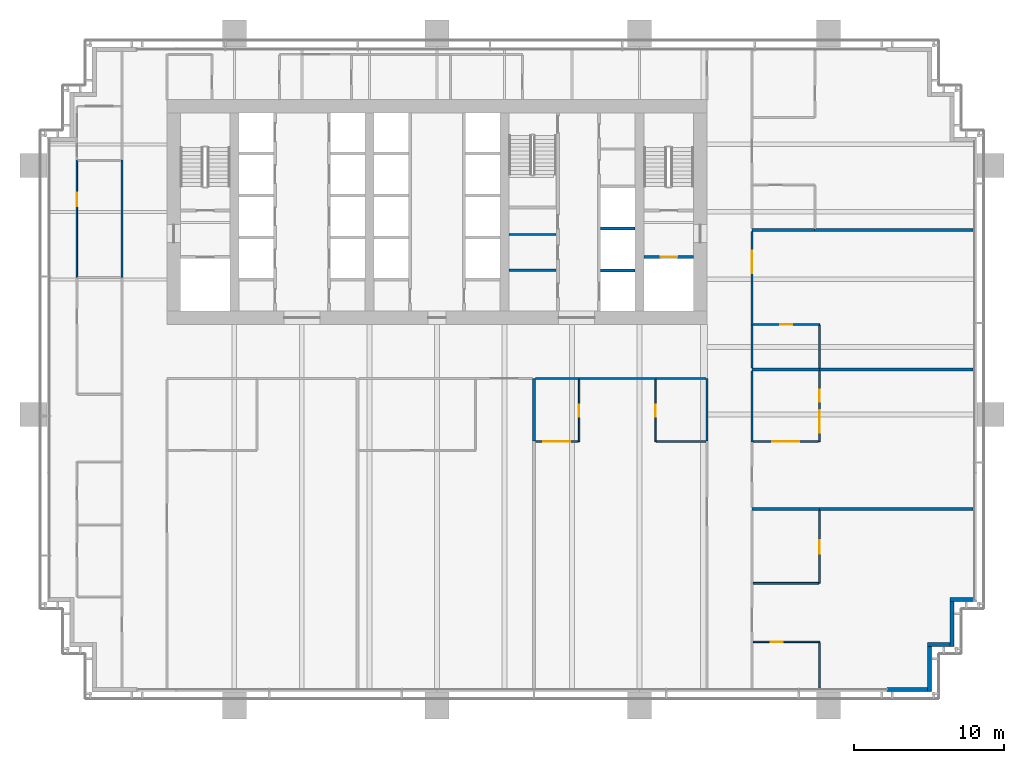
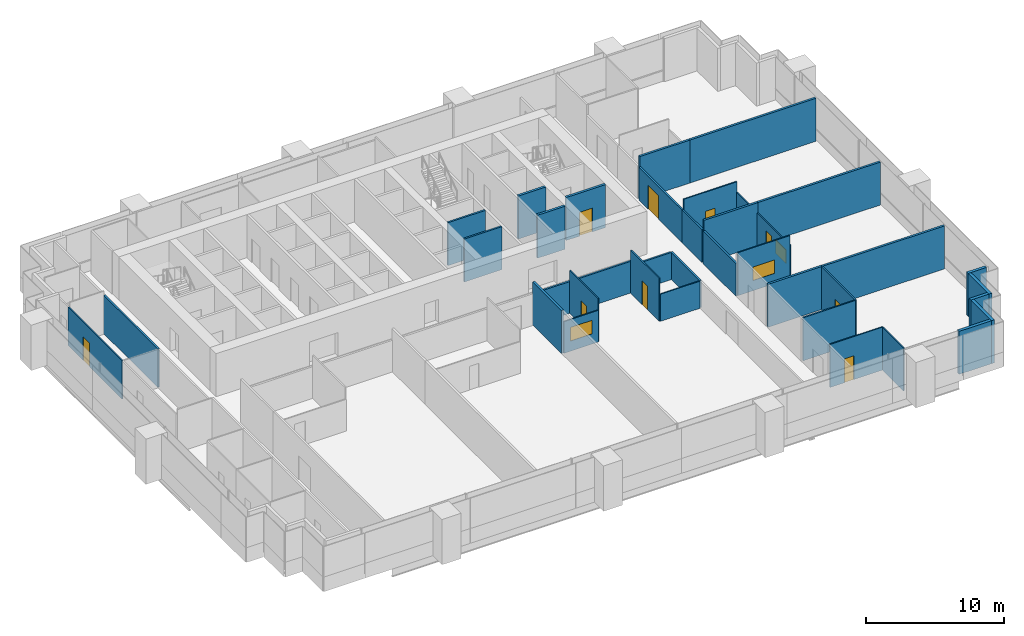
# One storey, part 13 of 19: 38 walls, 9 doors, 3 windows, 12 openings.
"""IFC4 building model written with IfcOpenShell, lengths in metres."""

from ifc_helpers import new_model, si_unit, direction, frame, frame_2d, origin, place, context, subcontext, project, spatial, rectangle, extrude, material, layer, layer_set, type_object, element, fill, save


model = new_model("IFC4")

# Units and contexts
model_context = context("Model", 3, precision=1e-05, world=origin(), true_north=direction((0.0, 1.0)))
body_context = subcontext(model_context, "Body", "Model", "MODEL_VIEW")
ifc_project = project(units=[si_unit("LENGTHUNIT", "METRE"), si_unit("AREAUNIT", "SQUARE_METRE"), si_unit("VOLUMEUNIT", "CUBIC_METRE"), si_unit("PLANEANGLEUNIT", "RADIAN"), si_unit("MASSUNIT", "GRAM", prefix="KILO")], contexts=[model_context])

# Site, building, storey
site_placement = place(None, origin())
site = spatial("IfcSite", under=ifc_project, at=site_placement, CompositionType="ELEMENT")
building_placement = place(site_placement, origin())
building = spatial("IfcBuilding", under=site, at=building_placement, Name="Rattan Terrace Tower", CompositionType="ELEMENT")
storey_placement = place(building_placement, frame((0.0, 0.0, 111.699951171875)))
storey = spatial("IfcBuildingStorey", under=building, at=storey_placement, Name="L25", CompositionType="ELEMENT", Elevation=111.699951171875)

# Walls
ifc_material_1 = material(Name="Gypsum board partition")
ifc_layer_1 = layer(ifc_material_1, 0.14990234375)
ifc_layer_set_1 = layer_set([ifc_layer_1], Name="Core partition 150")
wall_type_1 = type_object("IfcWallType", Name="Core partition 150", PredefinedType="PARTITIONING", material=ifc_layer_set_1)
for number, where, z_axis, x_axis, name in (
    (1, (4.800048828125, -3.8798828125, 0.0), (0.0, 0.0, 1.0), (1.0, 0.0, 0.0), "Toilet wall"),
    (2, (4.800048828125, -1.5, 0.0), (0.0, 0.0, 1.0), (1.0, 0.0, 0.0), "Toilet wall"),
):
    element("IfcWall", number, at=place(storey_placement, frame(where, z_axis=z_axis, x_axis=x_axis)), inside=storey, type_object=wall_type_1, Name=name, PredefinedType="PARTITIONING", context=body_context, shape_type="SweptSolid", body=[
        extrude(rectangle(XDim=3.14990234375, YDim=0.14990234375, at=frame_2d((1.574951171875, 0.0))), origin(), (0.0, 0.0, 1.0), 3.800048828125),
    ])

# Wall, opening, door
ifc_material_2 = material(Name="Gypsum board partition")
ifc_layer_2 = layer(ifc_material_2, 0.199951171875)
ifc_layer_set_2 = layer_set([ifc_layer_2], Name="Core partition 200")
wall_type_2 = type_object("IfcWallType", Name="Core partition 200", PredefinedType="PARTITIONING", material=ifc_layer_set_2)
wall_1_placement = place(storey_placement, frame((13.800048828125, -3.0, 0.0), z_axis=(0.0, 0.0, 1.0), x_axis=(1.0, 0.0, 0.0)))
wall_1 = element("IfcWall", 3, at=wall_1_placement, inside=storey, type_object=wall_type_2, Name="Fire-fighting lobby wall", PredefinedType="PARTITIONING", context=body_context, shape_type="SweptSolid", body=[
    extrude(rectangle(XDim=3.300048828125, YDim=0.199951171875, at=frame_2d((1.64990234375, 0.0))), origin(), (0.0, 0.0, 1.0), 3.800048828125),
])
opening_1_placement = place(wall_1_placement, frame((1.10009765625, 0.0, 0.0)))
opening_1 = element("IfcOpeningElement", 4, at=opening_1_placement, cuts=wall_1, Name="Opening L25-LD-FF2", PredefinedType="OPENING", context=body_context, shape_type="SweptSolid", body=[
    extrude(rectangle(XDim=1.10009765625, YDim=2.10009765625, at=frame_2d((0.550048828125, 1.050048828125))), frame((0.0, 0.110595703125, 0.0), z_axis=(0.0, -1.0, 0.0), x_axis=(1.0, 0.0, 0.0)), (0.0, 0.0, 1.0), 0.220947265625),
])
ifc_material_3 = material(Name="Brushed stainless landing door panel")
door_type_1 = type_object("IfcDoorType", Name="Core lift landing door 1100", OperationType="DOUBLE_DOOR_SLIDING", PredefinedType="DOOR", material=ifc_material_3)
door_1_placement = place(opening_1_placement, origin())
door_1 = element("IfcDoor", 5, at=door_1_placement, inside=storey, type_object=door_type_1, Name="Door L25-LD-FF2", OperationType="DOUBLE_DOOR_SLIDING", OverallHeight=2.10009765625, OverallWidth=1.10009765625, PredefinedType="DOOR", context=body_context, shape_type="SweptSolid", body=[
    extrude(rectangle(XDim=1.10009765625, YDim=2.10009765625, at=frame_2d((0.550048828125, 1.050048828125))), frame((0.0, 0.02490234375, 0.0), z_axis=(0.0, -1.0, 0.0), x_axis=(1.0, 0.0, 0.0)), (0.0, 0.0, 1.0), 0.050048828125),
])
fill(opening_1, door_1)

# Walls
ifc_material_4 = material(Name="Insulated aluminium-clad stud wall", Category="aluminium")
ifc_layer_3 = layer(ifc_material_4, 0.25)
ifc_layer_set_3 = layer_set([ifc_layer_3], Name="Facade Riser Wall 250")
wall_type_3 = type_object("IfcWallType", Name="Facade Riser Wall 250", PredefinedType="SOLIDWALL", material=ifc_layer_set_3)
wall_2_placement = place(storey_placement, frame((30.0, -31.830078125, 0.0), z_axis=(0.0, 0.0, 1.0), x_axis=(1.0, 0.0, 0.0)))
element("IfcWall", 6, at=wall_2_placement, inside=storey, type_object=wall_type_3, Name="Riser wall L25-1", PredefinedType="SOLIDWALL", context=body_context, shape_type="SweptSolid", body=[
    extrude(rectangle(XDim=2.705078125, YDim=0.25, at=frame_2d((1.3525390625, 0.0))), origin(), (0.0, 0.0, 1.0), 3.800048828125),
])
wall_3_placement = place(storey_placement, frame((32.830078125, -31.955078125, 0.0), z_axis=(0.0, 0.0, 1.0), x_axis=(0.0, 1.0, 0.0)))
element("IfcWall", 7, at=wall_3_placement, inside=storey, type_object=wall_type_3, Name="Riser wall L25-2", PredefinedType="SOLIDWALL", context=body_context, shape_type="SweptSolid", body=[
    extrude(rectangle(XDim=3.0, YDim=0.25, at=frame_2d((1.5, 0.0))), origin(), (0.0, 0.0, 1.0), 3.800048828125),
])
wall_4_placement = place(storey_placement, frame((32.705078125, -28.830078125, 0.0), z_axis=(0.0, 0.0, 1.0), x_axis=(1.0, 0.0, 0.0)))
element("IfcWall", 8, at=wall_4_placement, inside=storey, type_object=wall_type_3, Name="Riser wall L25-3", PredefinedType="SOLIDWALL", context=body_context, shape_type="SweptSolid", body=[
    extrude(rectangle(XDim=1.5, YDim=0.25, at=frame_2d((0.75, 0.0))), origin(), (0.0, 0.0, 1.0), 3.800048828125),
])
wall_5_placement = place(storey_placement, frame((34.330078125, -28.955078125, 0.0), z_axis=(0.0, 0.0, 1.0), x_axis=(0.0, 1.0, 0.0)))
element("IfcWall", 9, at=wall_5_placement, inside=storey, type_object=wall_type_3, Name="Riser wall L25-4", PredefinedType="SOLIDWALL", context=body_context, shape_type="SweptSolid", body=[
    extrude(rectangle(XDim=3.0, YDim=0.25, at=frame_2d((1.5, 0.0))), origin(), (0.0, 0.0, 1.0), 3.800048828125),
])
wall_6_placement = place(storey_placement, frame((34.205078125, -25.830078125, 0.0), z_axis=(0.0, 0.0, 1.0), x_axis=(1.0, 0.0, 0.0)))
element("IfcWall", 10, at=wall_6_placement, inside=storey, type_object=wall_type_3, Name="Riser wall L25-5", PredefinedType="SOLIDWALL", context=body_context, shape_type="SweptSolid", body=[
    extrude(rectangle(XDim=1.544921875, YDim=0.25, at=frame_2d((0.7724609375, 0.0))), origin(), (0.0, 0.0, 1.0), 3.800048828125),
])
ifc_material_5 = material(Name="Double steel stud acoustic partition, gypsum board, mineral wool, fire rated", Category="steel")
ifc_layer_4 = layer(ifc_material_5, 0.179931640625)
ifc_layer_set_4 = layer_set([ifc_layer_4], Name="Floors Acoustic Party Wall 180")
wall_type_4 = type_object("IfcWallType", Name="Floors Acoustic Party Wall 180", PredefinedType="PARTITIONING", material=ifc_layer_set_4)
wall_7_placement = place(storey_placement, frame((25.5, -19.800048828125, 0.0), z_axis=(0.0, 0.0, 1.0), x_axis=(1.0, 0.0, 0.0)))
element("IfcWall", 11, at=wall_7_placement, inside=storey, type_object=wall_type_4, Name="pt-L25-048", PredefinedType="PARTITIONING", context=body_context, shape_type="SweptSolid", body=[
    extrude(rectangle(XDim=10.239990234375, YDim=0.179931640625, at=frame_2d((5.1201171875, 0.0))), origin(), (0.0, 0.0, 1.0), 3.800048828125),
])
wall_8_placement = place(storey_placement, frame((21.0, -19.800048828125, 0.0), z_axis=(0.0, 0.0, 1.0), x_axis=(1.0, 0.0, 0.0)))
element("IfcWall", 12, at=wall_8_placement, inside=storey, type_object=wall_type_4, Name="pt-L25-049", PredefinedType="PARTITIONING", context=body_context, shape_type="SweptSolid", body=[
    extrude(rectangle(XDim=4.5, YDim=0.179931640625, at=frame_2d((2.25, 0.0))), origin(), (0.0, 0.0, 1.0), 3.800048828125),
])
wall_9_placement = place(storey_placement, frame((25.5, -10.5, 0.0), z_axis=(0.0, 0.0, 1.0), x_axis=(1.0, 0.0, 0.0)))
element("IfcWall", 13, at=wall_9_placement, inside=storey, type_object=wall_type_4, Name="pt-L25-052", PredefinedType="PARTITIONING", context=body_context, shape_type="SweptSolid", body=[
    extrude(rectangle(XDim=10.239990234375, YDim=0.179931640625, at=frame_2d((5.1201171875, 0.0))), origin(), (0.0, 0.0, 1.0), 3.800048828125),
])
wall_10_placement = place(storey_placement, frame((21.0, -10.5, 0.0), z_axis=(0.0, 0.0, 1.0), x_axis=(1.0, 0.0, 0.0)))
element("IfcWall", 14, at=wall_10_placement, inside=storey, type_object=wall_type_4, Name="pt-L25-053", PredefinedType="PARTITIONING", context=body_context, shape_type="SweptSolid", body=[
    extrude(rectangle(XDim=4.5, YDim=0.179931640625, at=frame_2d((2.25, 0.0))), origin(), (0.0, 0.0, 1.0), 3.800048828125),
])
wall_11_placement = place(storey_placement, frame((25.179931640625, -1.199951171875, 0.0), z_axis=(0.0, 0.0, 1.0), x_axis=(1.0, 0.0, 0.0)))
element("IfcWall", 15, at=wall_11_placement, inside=storey, type_object=wall_type_4, Name="pt-L25-056", PredefinedType="PARTITIONING", context=body_context, shape_type="SweptSolid", body=[
    extrude(rectangle(XDim=10.56005859375, YDim=0.179931640625, at=frame_2d((5.280029296875, 0.0))), origin(), (0.0, 0.0, 1.0), 3.800048828125),
])
for number, where, z_axis, x_axis, name in (
    (16, (21.0, -1.199951171875, 0.0), (0.0, 0.0, 1.0), (1.0, 0.0, 0.0), "pt-L25-057"),
    (17, (6.470947265625, -11.10009765625, 0.0), (0.0, 0.0, 1.0), (0.0, -1.0, 0.0), "pt-L25-078"),
):
    element("IfcWall", number, at=place(storey_placement, frame(where, z_axis=z_axis, x_axis=x_axis)), inside=storey, type_object=wall_type_4, Name=name, PredefinedType="PARTITIONING", context=body_context, shape_type="SweptSolid", body=[
        extrude(rectangle(XDim=4.179931640625, YDim=0.179931640625, at=frame_2d((2.08984375, 0.0))), origin(), (0.0, 0.0, 1.0), 3.800048828125),
    ])

# Wall, opening, door
ifc_material_6 = material(Name="Gypsum board partition on steel studs", Category="steel")
ifc_layer_5 = layer(ifc_material_6, 0.10009765625)
ifc_layer_set_5 = layer_set([ifc_layer_5], Name="Floors Partition 100")
wall_type_5 = type_object("IfcWallType", Name="Floors Partition 100", PredefinedType="PARTITIONING", material=ifc_layer_set_5)
wall_12_placement = place(storey_placement, frame((-24.0, 3.4599609375, 0.0), z_axis=(0.0, 0.0, 1.0), x_axis=(0.0, -1.0, 0.0)))
wall_12 = element("IfcWall", 18, at=wall_12_placement, inside=storey, type_object=wall_type_5, Name="pt-L25-038", PredefinedType="PARTITIONING", context=body_context, shape_type="SweptSolid", body=[
    extrude(rectangle(XDim=7.800048828125, YDim=0.10009765625, at=frame_2d((3.89990234375, 0.0))), origin(), (0.0, 0.0, 1.0), 3.400146484375),
])
opening_2_placement = place(wall_12_placement, frame((2.169921875, 0.0, 0.0)))
opening_2 = element("IfcOpeningElement", 19, at=opening_2_placement, cuts=wall_12, Name="Opening L25-D104", PredefinedType="OPENING", context=body_context, shape_type="SweptSolid", body=[
    extrude(rectangle(XDim=0.89990234375, YDim=2.10009765625, at=frame_2d((0.449951171875, 1.050048828125))), frame((0.0, 0.060546875, 0.0), z_axis=(0.0, -1.0, 0.0), x_axis=(1.0, 0.0, 0.0)), (0.0, 0.0, 1.0), 0.12109375),
])
ifc_material_7 = material(Name="Solid core timber door, painted", Category="wood")
door_type_2 = type_object("IfcDoorType", Name="Floors Door 900x2100", OperationType="NOTDEFINED", PredefinedType="DOOR", material=ifc_material_7)
door_2_placement = place(opening_2_placement, origin())
door_2 = element("IfcDoor", 20, at=door_2_placement, inside=storey, type_object=door_type_2, Name="d-L25-104", OperationType="SINGLE_SWING_LEFT", OverallHeight=2.10009765625, OverallWidth=0.89990234375, PredefinedType="DOOR", context=body_context, shape_type="SweptSolid", body=[
    extrude(rectangle(XDim=0.89990234375, YDim=2.10009765625, at=frame_2d((0.449951171875, 1.050048828125))), frame((0.0, 0.02490234375, 0.0), z_axis=(0.0, -1.0, 0.0), x_axis=(1.0, 0.0, 0.0)), (0.0, 0.0, 1.0), 0.050048828125),
])
fill(opening_2, door_2)

wall_13_placement = place(storey_placement, frame((25.5, -28.659912109375, 0.0), z_axis=(0.0, 0.0, 1.0), x_axis=(-1.0, 0.0, 0.0)))
wall_13 = element("IfcWall", 21, at=wall_13_placement, inside=storey, type_object=wall_type_5, Name="pt-L25-044", PredefinedType="PARTITIONING", context=body_context, shape_type="SweptSolid", body=[
    extrude(rectangle(XDim=4.425048828125, YDim=0.10009765625, at=frame_2d((2.21240234375, 0.0))), origin(), (0.0, 0.0, 1.0), 3.800048828125),
])
opening_3_placement = place(wall_13_placement, frame((2.43798828125, 0.0, 0.0)))
opening_3 = element("IfcOpeningElement", 22, at=opening_3_placement, cuts=wall_13, Name="Opening L25-D107", PredefinedType="OPENING", context=body_context, shape_type="SweptSolid", body=[
    extrude(rectangle(XDim=0.800048828125, YDim=2.10009765625, at=frame_2d((0.39990234375, 1.050048828125))), frame((0.0, 0.060546875, 0.0), z_axis=(0.0, -1.0, 0.0), x_axis=(1.0, 0.0, 0.0)), (0.0, 0.0, 1.0), 0.12109375),
])
ifc_material_8 = material(Name="Solid core timber door, painted", Category="wood")
door_type_3 = type_object("IfcDoorType", Name="Floors Store Door 800x2100", OperationType="NOTDEFINED", PredefinedType="DOOR", material=ifc_material_8)
door_3_placement = place(opening_3_placement, origin())
door_3 = element("IfcDoor", 23, at=door_3_placement, inside=storey, type_object=door_type_3, Name="d-L25-107", OperationType="SINGLE_SWING_RIGHT", OverallHeight=2.10009765625, OverallWidth=0.800048828125, PredefinedType="DOOR", context=body_context, shape_type="SweptSolid", body=[
    extrude(rectangle(XDim=0.800048828125, YDim=2.10009765625, at=frame_2d((0.39990234375, 1.050048828125))), frame((0.0, 0.02490234375, 0.0), z_axis=(0.0, -1.0, 0.0), x_axis=(1.0, 0.0, 0.0)), (0.0, 0.0, 1.0), 0.050048828125),
])
fill(opening_3, door_3)

# Wall
wall_14_placement = place(storey_placement, frame((25.5, -31.739990234375, 0.0), z_axis=(0.0, 0.0, 1.0), x_axis=(0.0, 1.0, 0.0)))
element("IfcWall", 24, at=wall_14_placement, inside=storey, type_object=wall_type_5, Name="pt-L25-045", PredefinedType="PARTITIONING", context=body_context, shape_type="SweptSolid", body=[
    extrude(rectangle(XDim=3.030029296875, YDim=0.10009765625, at=frame_2d((1.51513671875, 0.0))), origin(), (0.0, 0.0, 1.0), 3.800048828125),
])

# Wall, opening, window
wall_15_placement = place(storey_placement, frame((21.074951171875, -15.300048828125, 0.0), z_axis=(0.0, 0.0, 1.0), x_axis=(1.0, 0.0, 0.0)))
wall_15 = element("IfcWall", 25, at=wall_15_placement, inside=storey, type_object=wall_type_5, Name="pt-L25-050", PredefinedType="PARTITIONING", context=body_context, shape_type="SweptSolid", body=[
    extrude(rectangle(XDim=4.375, YDim=0.10009765625, at=frame_2d((2.1875, 0.0))), origin(), (0.0, 0.0, 1.0), 3.800048828125),
])
opening_4_placement = place(wall_15_placement, frame((1.2880859375, 0.0, 0.89990234375)))
opening_4 = element("IfcOpeningElement", 26, at=opening_4_placement, cuts=wall_15, Name="Opening L25-W102", PredefinedType="OPENING", context=body_context, shape_type="SweptSolid", body=[
    extrude(rectangle(XDim=1.800048828125, YDim=1.199951171875, at=frame_2d((0.89990234375, 0.60009765625))), frame((0.0, 0.060546875, 0.0), z_axis=(0.0, -1.0, 0.0), x_axis=(1.0, 0.0, 0.0)), (0.0, 0.0, 1.0), 0.12109375),
])
ifc_material_9 = material(Name="Glass, clear, fixed in aluminium frame", Category="aluminium")
window_type_1 = type_object("IfcWindowType", Name="Interior Vision Window 1800x1200", PartitioningType="SINGLE_PANEL", PredefinedType="WINDOW", material=ifc_material_9)
window_1_placement = place(opening_4_placement, origin())
window_1 = element("IfcWindow", 27, at=window_1_placement, inside=storey, type_object=window_type_1, Name="w-L25-102", OverallHeight=1.199951171875, OverallWidth=1.800048828125, PartitioningType="SINGLE_PANEL", PredefinedType="WINDOW", context=body_context, shape_type="SweptSolid", body=[
    extrude(rectangle(XDim=1.800048828125, YDim=1.199951171875, at=frame_2d((0.89990234375, 0.60009765625))), frame((0.0, 0.030029296875, 0.0), z_axis=(0.0, -1.0, 0.0), x_axis=(1.0, 0.0, 0.0)), (0.0, 0.0, 1.0), 0.06005859375),
])
fill(opening_4, window_1)

# Wall, openings, door, window
wall_16_placement = place(storey_placement, frame((25.5, -15.300048828125, 0.0), z_axis=(0.0, 0.0, 1.0), x_axis=(0.0, 1.0, 0.0)))
wall_16 = element("IfcWall", 28, at=wall_16_placement, inside=storey, type_object=wall_type_5, Name="pt-L25-051", PredefinedType="PARTITIONING", context=body_context, shape_type="SweptSolid", body=[
    extrude(rectangle(XDim=4.7099609375, YDim=0.10009765625, at=frame_2d((2.35498046875, 0.0))), origin(), (0.0, 0.0, 1.0), 2.900146484375),
])
opening_5_placement = place(wall_16_placement, frame((2.636962890625, 0.0, 0.0)))
opening_5 = element("IfcOpeningElement", 29, at=opening_5_placement, cuts=wall_16, Name="Opening L25-D110", PredefinedType="OPENING", context=body_context, shape_type="SweptSolid", body=[
    extrude(rectangle(XDim=0.800048828125, YDim=2.10009765625, at=frame_2d((0.39990234375, 1.050048828125))), frame((0.0, 0.060546875, 0.0), z_axis=(0.0, -1.0, 0.0), x_axis=(1.0, 0.0, 0.0)), (0.0, 0.0, 1.0), 0.12109375),
])
opening_6_placement = place(wall_16_placement, frame((0.593017578125, 0.0, 0.89990234375)))
opening_6 = element("IfcOpeningElement", 30, at=opening_6_placement, cuts=wall_16, Name="Opening L25-W103", PredefinedType="OPENING", context=body_context, shape_type="SweptSolid", body=[
    extrude(rectangle(XDim=1.5, YDim=1.199951171875, at=frame_2d((0.75, 0.60009765625))), frame((0.0, 0.060546875, 0.0), z_axis=(0.0, -1.0, 0.0), x_axis=(1.0, 0.0, 0.0)), (0.0, 0.0, 1.0), 0.12109375),
])
door_4_placement = place(opening_5_placement, origin())
door_4 = element("IfcDoor", 31, at=door_4_placement, inside=storey, type_object=door_type_3, Name="d-L25-110", OperationType="SINGLE_SWING_RIGHT", OverallHeight=2.10009765625, OverallWidth=0.800048828125, PredefinedType="DOOR", context=body_context, shape_type="SweptSolid", body=[
    extrude(rectangle(XDim=0.800048828125, YDim=2.10009765625, at=frame_2d((0.39990234375, 1.050048828125))), frame((0.0, 0.02490234375, 0.0), z_axis=(0.0, -1.0, 0.0), x_axis=(1.0, 0.0, 0.0)), (0.0, 0.0, 1.0), 0.050048828125),
])
fill(opening_5, door_4)
ifc_material_10 = material(Name="Glass, clear, fixed in aluminium frame", Category="aluminium")
window_type_2 = type_object("IfcWindowType", Name="Interior Vision Window 1500x1200", PartitioningType="SINGLE_PANEL", PredefinedType="WINDOW", material=ifc_material_10)
window_2_placement = place(opening_6_placement, origin())
window_2 = element("IfcWindow", 32, at=window_2_placement, inside=storey, type_object=window_type_2, Name="w-L25-103", OverallHeight=1.199951171875, OverallWidth=1.5, PartitioningType="SINGLE_PANEL", PredefinedType="WINDOW", context=body_context, shape_type="SweptSolid", body=[
    extrude(rectangle(XDim=1.5, YDim=1.199951171875, at=frame_2d((0.75, 0.60009765625))), frame((0.0, 0.030029296875, 0.0), z_axis=(0.0, -1.0, 0.0), x_axis=(1.0, 0.0, 0.0)), (0.0, 0.0, 1.0), 0.06005859375),
])
fill(opening_6, window_2)

# Wall, opening, door
wall_17_placement = place(storey_placement, frame((25.5, -7.5, 0.0), z_axis=(0.0, 0.0, 1.0), x_axis=(-1.0, 0.0, 0.0)))
wall_17 = element("IfcWall", 33, at=wall_17_placement, inside=storey, type_object=wall_type_5, Name="pt-L25-054", PredefinedType="PARTITIONING", context=body_context, shape_type="SweptSolid", body=[
    extrude(rectangle(XDim=4.425048828125, YDim=0.10009765625, at=frame_2d((2.21240234375, 0.0))), origin(), (0.0, 0.0, 1.0), 3.800048828125),
])
opening_7_placement = place(wall_17_placement, frame((1.81298828125, 0.0, 0.0)))
opening_7 = element("IfcOpeningElement", 34, at=opening_7_placement, cuts=wall_17, Name="Opening L25-D112", PredefinedType="OPENING", context=body_context, shape_type="SweptSolid", body=[
    extrude(rectangle(XDim=0.800048828125, YDim=2.10009765625, at=frame_2d((0.39990234375, 1.050048828125))), frame((0.0, 0.060546875, 0.0), z_axis=(0.0, -1.0, 0.0), x_axis=(1.0, 0.0, 0.0)), (0.0, 0.0, 1.0), 0.12109375),
])
door_5_placement = place(opening_7_placement, origin())
door_5 = element("IfcDoor", 35, at=door_5_placement, inside=storey, type_object=door_type_3, Name="d-L25-112", OperationType="SINGLE_SWING_LEFT", OverallHeight=2.10009765625, OverallWidth=0.800048828125, PredefinedType="DOOR", context=body_context, shape_type="SweptSolid", body=[
    extrude(rectangle(XDim=0.800048828125, YDim=2.10009765625, at=frame_2d((0.39990234375, 1.050048828125))), frame((0.0, 0.02490234375, 0.0), z_axis=(0.0, -1.0, 0.0), x_axis=(1.0, 0.0, 0.0)), (0.0, 0.0, 1.0), 0.050048828125),
])
fill(opening_7, door_5)

# Wall
wall_18_placement = place(storey_placement, frame((25.5, -10.409912109375, 0.0), z_axis=(0.0, 0.0, 1.0), x_axis=(0.0, 1.0, 0.0)))
element("IfcWall", 36, at=wall_18_placement, inside=storey, type_object=wall_type_5, Name="pt-L25-055", PredefinedType="PARTITIONING", context=body_context, shape_type="SweptSolid", body=[
    extrude(rectangle(XDim=2.85986328125, YDim=0.10009765625, at=frame_2d((1.429931640625, 0.0))), origin(), (0.0, 0.0, 1.0), 2.900146484375),
])

# Wall, opening, window
wall_19_placement = place(storey_placement, frame((6.56103515625, -15.300048828125, 0.0), z_axis=(0.0, 0.0, 1.0), x_axis=(1.0, 0.0, 0.0)))
wall_19 = element("IfcWall", 37, at=wall_19_placement, inside=storey, type_object=wall_type_5, Name="pt-L25-079", PredefinedType="PARTITIONING", context=body_context, shape_type="SweptSolid", body=[
    extrude(rectangle(XDim=2.85986328125, YDim=0.10009765625, at=frame_2d((1.429931640625, 0.0))), origin(), (0.0, 0.0, 1.0), 2.800048828125),
])
opening_8_placement = place(wall_19_placement, frame((0.530029296875, 0.0, 0.89990234375)))
opening_8 = element("IfcOpeningElement", 38, at=opening_8_placement, cuts=wall_19, Name="Opening L25-W105", PredefinedType="OPENING", context=body_context, shape_type="SweptSolid", body=[
    extrude(rectangle(XDim=1.800048828125, YDim=1.199951171875, at=frame_2d((0.89990234375, 0.60009765625))), frame((0.0, 0.060546875, 0.0), z_axis=(0.0, -1.0, 0.0), x_axis=(1.0, 0.0, 0.0)), (0.0, 0.0, 1.0), 0.12109375),
])
window_3_placement = place(opening_8_placement, origin())
window_3 = element("IfcWindow", 39, at=window_3_placement, inside=storey, type_object=window_type_1, Name="w-L25-105", OverallHeight=1.199951171875, OverallWidth=1.800048828125, PartitioningType="SINGLE_PANEL", PredefinedType="WINDOW", context=body_context, shape_type="SweptSolid", body=[
    extrude(rectangle(XDim=1.800048828125, YDim=1.199951171875, at=frame_2d((0.89990234375, 0.60009765625))), frame((0.0, 0.030029296875, 0.0), z_axis=(0.0, -1.0, 0.0), x_axis=(1.0, 0.0, 0.0)), (0.0, 0.0, 1.0), 0.06005859375),
])
fill(opening_8, window_3)

# Wall, opening, door
wall_20_placement = place(storey_placement, frame((9.470947265625, -15.300048828125, 0.0), z_axis=(0.0, 0.0, 1.0), x_axis=(0.0, 1.0, 0.0)))
wall_20 = element("IfcWall", 40, at=wall_20_placement, inside=storey, type_object=wall_type_5, Name="pt-L25-080", PredefinedType="PARTITIONING", context=body_context, shape_type="SweptSolid", body=[
    extrude(rectangle(XDim=4.125, YDim=0.10009765625, at=frame_2d((2.0625, 0.0))), origin(), (0.0, 0.0, 1.0), 3.800048828125),
])
opening_9_placement = place(wall_20_placement, frame((1.6630859375, 0.0, 0.0)))
opening_9 = element("IfcOpeningElement", 41, at=opening_9_placement, cuts=wall_20, Name="Opening L25-D126", PredefinedType="OPENING", context=body_context, shape_type="SweptSolid", body=[
    extrude(rectangle(XDim=0.800048828125, YDim=2.10009765625, at=frame_2d((0.39990234375, 1.050048828125))), frame((0.0, 0.060546875, 0.0), z_axis=(0.0, -1.0, 0.0), x_axis=(1.0, 0.0, 0.0)), (0.0, 0.0, 1.0), 0.12109375),
])
door_6_placement = place(opening_9_placement, origin())
door_6 = element("IfcDoor", 42, at=door_6_placement, inside=storey, type_object=door_type_3, Name="d-L25-126", OperationType="SINGLE_SWING_LEFT", OverallHeight=2.10009765625, OverallWidth=0.800048828125, PredefinedType="DOOR", context=body_context, shape_type="SweptSolid", body=[
    extrude(rectangle(XDim=0.800048828125, YDim=2.10009765625, at=frame_2d((0.39990234375, 1.050048828125))), frame((0.0, 0.02490234375, 0.0), z_axis=(0.0, -1.0, 0.0), x_axis=(1.0, 0.0, 0.0)), (0.0, 0.0, 1.0), 0.050048828125),
])
fill(opening_9, door_6)

wall_21_placement = place(storey_placement, frame((14.571044921875, -11.175048828125, 0.0), z_axis=(0.0, 0.0, 1.0), x_axis=(0.0, -1.0, 0.0)))
wall_21 = element("IfcWall", 43, at=wall_21_placement, inside=storey, type_object=wall_type_5, Name="pt-L25-081", PredefinedType="PARTITIONING", context=body_context, shape_type="SweptSolid", body=[
    extrude(rectangle(XDim=4.125, YDim=0.10009765625, at=frame_2d((2.0625, 0.0))), origin(), (0.0, 0.0, 1.0), 3.800048828125),
])
opening_10_placement = place(wall_21_placement, frame((1.6630859375, 0.0, 0.0)))
opening_10 = element("IfcOpeningElement", 44, at=opening_10_placement, cuts=wall_21, Name="Opening L25-D127", PredefinedType="OPENING", context=body_context, shape_type="SweptSolid", body=[
    extrude(rectangle(XDim=0.800048828125, YDim=2.10009765625, at=frame_2d((0.39990234375, 1.050048828125))), frame((0.0, 0.060546875, 0.0), z_axis=(0.0, -1.0, 0.0), x_axis=(1.0, 0.0, 0.0)), (0.0, 0.0, 1.0), 0.12109375),
])
door_7_placement = place(opening_10_placement, origin())
door_7 = element("IfcDoor", 45, at=door_7_placement, inside=storey, type_object=door_type_3, Name="d-L25-127", OperationType="SINGLE_SWING_RIGHT", OverallHeight=2.10009765625, OverallWidth=0.800048828125, PredefinedType="DOOR", context=body_context, shape_type="SweptSolid", body=[
    extrude(rectangle(XDim=0.800048828125, YDim=2.10009765625, at=frame_2d((0.39990234375, 1.050048828125))), frame((0.0, 0.02490234375, 0.0), z_axis=(0.0, -1.0, 0.0), x_axis=(1.0, 0.0, 0.0)), (0.0, 0.0, 1.0), 0.050048828125),
])
fill(opening_10, door_7)

# Walls
wall_22_placement = place(storey_placement, frame((14.62109375, -15.300048828125, 0.0), z_axis=(0.0, 0.0, 1.0), x_axis=(1.0, 0.0, 0.0)))
element("IfcWall", 46, at=wall_22_placement, inside=storey, type_object=wall_type_5, Name="pt-L25-082", PredefinedType="PARTITIONING", context=body_context, shape_type="SweptSolid", body=[
    extrude(rectangle(XDim=3.303955078125, YDim=0.10009765625, at=frame_2d((1.65185546875, 0.0))), origin(), (0.0, 0.0, 1.0), 2.400146484375),
])
ifc_material_11 = material(Name="Gypsum board partition on steel studs, fire rated", Category="steel")
ifc_layer_6 = layer(ifc_material_11, 0.14990234375)
ifc_layer_set_6 = layer_set([ifc_layer_6], Name="Floors Tenancy Wall 150")
wall_type_6 = type_object("IfcWallType", Name="Floors Tenancy Wall 150", PredefinedType="PARTITIONING", material=ifc_layer_set_6)
wall_23_placement = place(storey_placement, frame((-21.0, -4.3798828125, 0.0), z_axis=(0.0, 0.0, 1.0), x_axis=(0.0, 1.0, 0.0)))
element("IfcWall", 47, at=wall_23_placement, inside=storey, type_object=wall_type_6, Name="pt-L25-007", PredefinedType="PARTITIONING", context=body_context, shape_type="SweptSolid", body=[
    extrude(rectangle(XDim=7.83984375, YDim=0.14990234375, at=frame_2d((3.919921875, 0.0))), origin(), (0.0, 0.0, 1.0), 3.400146484375),
])
wall_24_placement = place(storey_placement, frame((21.0, -10.590087890625, 0.0), z_axis=(0.0, 0.0, 1.0), x_axis=(0.0, -1.0, 0.0)))
element("IfcWall", 48, at=wall_24_placement, inside=storey, type_object=wall_type_6, Name="pt-L25-013", PredefinedType="PARTITIONING", context=body_context, shape_type="SweptSolid", body=[
    extrude(rectangle(XDim=4.72998046875, YDim=0.14990234375, at=frame_2d((2.364990234375, 0.0))), origin(), (0.0, 0.0, 1.0), 2.900146484375),
])

# Wall, opening, door
wall_25_placement = place(storey_placement, frame((21.0, -1.2900390625, 0.0), z_axis=(0.0, 0.0, 1.0), x_axis=(0.0, -1.0, 0.0)))
wall_25 = element("IfcWall", 49, at=wall_25_placement, inside=storey, type_object=wall_type_6, Name="pt-L25-014", PredefinedType="PARTITIONING", context=body_context, shape_type="SweptSolid", body=[
    extrude(rectangle(XDim=6.22998046875, YDim=0.14990234375, at=frame_2d((3.114990234375, 0.0))), origin(), (0.0, 0.0, 1.0), 2.900146484375),
])
opening_11_placement = place(wall_25_placement, frame((1.306884765625, 0.0, 0.0)))
opening_11 = element("IfcOpeningElement", 50, at=opening_11_placement, cuts=wall_25, Name="Opening L25-D111", PredefinedType="OPENING", context=body_context, shape_type="SweptSolid", body=[
    extrude(rectangle(XDim=1.5, YDim=2.10009765625, at=frame_2d((0.75, 1.050048828125))), frame((0.0, 0.08544921875, 0.0), z_axis=(0.0, -1.0, 0.0), x_axis=(1.0, 0.0, 0.0)), (0.0, 0.0, 1.0), 0.1708984375),
])
ifc_material_12 = material(Name="Steel fire door set", Category="steel")
door_type_4 = type_object("IfcDoorType", Name="Floors Unit Door Pair FD30S 1500x2100", OperationType="NOTDEFINED", PredefinedType="DOOR", material=ifc_material_12)
door_8_placement = place(opening_11_placement, origin())
door_8 = element("IfcDoor", 51, at=door_8_placement, inside=storey, type_object=door_type_4, Name="d-L25-111", OperationType="DOUBLE_DOOR_SINGLE_SWING", OverallHeight=2.10009765625, OverallWidth=1.5, PredefinedType="DOOR", context=body_context, shape_type="SweptSolid", body=[
    extrude(rectangle(XDim=1.5, YDim=2.10009765625, at=frame_2d((0.75, 1.050048828125))), frame((0.0, 0.02490234375, 0.0), z_axis=(0.0, -1.0, 0.0), x_axis=(1.0, 0.0, 0.0)), (0.0, 0.0, 1.0), 0.050048828125),
])
fill(opening_11, door_8)

# Walls
wall_26_placement = place(storey_placement, frame((21.0, -7.52001953125, 0.0), z_axis=(0.0, 0.0, 1.0), x_axis=(0.0, -1.0, 0.0)))
element("IfcWall", 52, at=wall_26_placement, inside=storey, type_object=wall_type_6, Name="pt-L25-015", PredefinedType="PARTITIONING", context=body_context, shape_type="SweptSolid", body=[
    extrude(rectangle(XDim=2.889892578125, YDim=0.14990234375, at=frame_2d((1.44482421875, 0.0))), origin(), (0.0, 0.0, 1.0), 2.900146484375),
])
wall_27_placement = place(storey_placement, frame((14.591064453125, -11.10009765625, 0.0), z_axis=(0.0, 0.0, 1.0), x_axis=(-1.0, 0.0, 0.0)))
element("IfcWall", 53, at=wall_27_placement, inside=storey, type_object=wall_type_6, Name="pt-L25-027", PredefinedType="PARTITIONING", context=body_context, shape_type="SweptSolid", body=[
    extrude(rectangle(XDim=5.14013671875, YDim=0.14990234375, at=frame_2d((2.570068359375, 0.0))), origin(), (0.0, 0.0, 1.0), 2.800048828125),
])
wall_28_placement = place(storey_placement, frame((9.450927734375, -11.10009765625, 0.0), z_axis=(0.0, 0.0, 1.0), x_axis=(-1.0, 0.0, 0.0)))
element("IfcWall", 54, at=wall_28_placement, inside=storey, type_object=wall_type_6, Name="pt-L25-029", PredefinedType="PARTITIONING", context=body_context, shape_type="SweptSolid", body=[
    extrude(rectangle(XDim=2.889892578125, YDim=0.14990234375, at=frame_2d((1.44482421875, 0.0))), origin(), (0.0, 0.0, 1.0), 2.800048828125),
])
wall_29_placement = place(storey_placement, frame((17.925048828125, -11.10009765625, 0.0), z_axis=(0.0, 0.0, 1.0), x_axis=(-1.0, 0.0, 0.0)))
element("IfcWall", 55, at=wall_29_placement, inside=storey, type_object=wall_type_6, Name="pt-L25-030", PredefinedType="PARTITIONING", context=body_context, shape_type="SweptSolid", body=[
    extrude(rectangle(XDim=3.333984375, YDim=0.14990234375, at=frame_2d((1.6669921875, 0.0))), origin(), (0.0, 0.0, 1.0), 2.400146484375),
])
wall_30_placement = place(storey_placement, frame((18.0, -15.280029296875, 0.0), z_axis=(0.0, 0.0, 1.0), x_axis=(0.0, 1.0, 0.0)))
element("IfcWall", 56, at=wall_30_placement, inside=storey, type_object=wall_type_6, Name="pt-L25-031", PredefinedType="PARTITIONING", context=body_context, shape_type="SweptSolid", body=[
    extrude(rectangle(XDim=4.179931640625, YDim=0.14990234375, at=frame_2d((2.08984375, 0.0))), origin(), (0.0, 0.0, 1.0), 2.400146484375),
])
ifc_material_13 = material(Name="Moisture resistant gypsum board partition on steel studs with service cavity", Category="steel")
ifc_layer_7 = layer(ifc_material_13, 0.1201171875)
ifc_layer_set_7 = layer_set([ifc_layer_7], Name="Floors Wet Wall 120")
wall_type_7 = type_object("IfcWallType", Name="Floors Wet Wall 120", PredefinedType="PARTITIONING", material=ifc_layer_set_7)
wall_31_placement = place(storey_placement, frame((21.074951171875, -24.760009765625, 0.0), z_axis=(0.0, 0.0, 1.0), x_axis=(1.0, 0.0, 0.0)))
element("IfcWall", 57, at=wall_31_placement, inside=storey, type_object=wall_type_7, Name="pt-L25-046", PredefinedType="PARTITIONING", context=body_context, shape_type="SweptSolid", body=[
    extrude(rectangle(XDim=4.364990234375, YDim=0.1201171875, at=frame_2d((2.1826171875, 0.0))), origin(), (0.0, 0.0, 1.0), 3.800048828125),
])

# Wall, opening, door
wall_32_placement = place(storey_placement, frame((25.5, -24.760009765625, 0.0), z_axis=(0.0, 0.0, 1.0), x_axis=(0.0, 1.0, 0.0)))
wall_32 = element("IfcWall", 58, at=wall_32_placement, inside=storey, type_object=wall_type_7, Name="pt-L25-047", PredefinedType="PARTITIONING", context=body_context, shape_type="SweptSolid", body=[
    extrude(rectangle(XDim=4.8701171875, YDim=0.1201171875, at=frame_2d((2.43505859375, 0.0))), origin(), (0.0, 0.0, 1.0), 3.800048828125),
])
opening_12_placement = place(wall_32_placement, frame((1.985107421875, 0.0, 0.0)))
opening_12 = element("IfcOpeningElement", 59, at=opening_12_placement, cuts=wall_32, Name="Opening L25-D108", PredefinedType="OPENING", context=body_context, shape_type="SweptSolid", body=[
    extrude(rectangle(XDim=0.89990234375, YDim=2.10009765625, at=frame_2d((0.449951171875, 1.050048828125))), frame((0.0, 0.070556640625, 0.0), z_axis=(0.0, -1.0, 0.0), x_axis=(1.0, 0.0, 0.0)), (0.0, 0.0, 1.0), 0.14111328125),
])
door_9_placement = place(opening_12_placement, origin())
door_9 = element("IfcDoor", 60, at=door_9_placement, inside=storey, type_object=door_type_2, Name="d-L25-108", OperationType="SINGLE_SWING_LEFT", OverallHeight=2.10009765625, OverallWidth=0.89990234375, PredefinedType="DOOR", context=body_context, shape_type="SweptSolid", body=[
    extrude(rectangle(XDim=0.89990234375, YDim=2.10009765625, at=frame_2d((0.449951171875, 1.050048828125))), frame((0.0, 0.02490234375, 0.0), z_axis=(0.0, -1.0, 0.0), x_axis=(1.0, 0.0, 0.0)), (0.0, 0.0, 1.0), 0.050048828125),
])
fill(opening_12, door_9)

# Walls
ifc_material_14 = material(Name="Gypsum shaft wall system")
ifc_layer_8 = layer(ifc_material_14, 0.199951171875)
ifc_layer_set_8 = layer_set([ifc_layer_8], Name="Lift shaft wall 200")
wall_type_8 = type_object("IfcWallType", Name="Lift shaft wall 200", PredefinedType="PARTITIONING", material=ifc_layer_set_8)
for number, where, z_axis, x_axis, name in (
    (61, (10.89990234375, -3.89990234375, 0.0), (0.0, 0.0, 1.0), (1.0, 0.0, 0.0), "Lift shaft wall"),
    (62, (10.89990234375, -1.10009765625, 0.0), (0.0, 0.0, 1.0), (1.0, 0.0, 0.0), "Lift shaft wall"),
):
    element("IfcWall", number, at=place(storey_placement, frame(where, z_axis=z_axis, x_axis=x_axis)), inside=storey, type_object=wall_type_8, Name=name, PredefinedType="PARTITIONING", context=body_context, shape_type="SweptSolid", body=[
        extrude(rectangle(XDim=2.300048828125, YDim=0.199951171875, at=frame_2d((1.14990234375, 0.0))), origin(), (0.0, 0.0, 1.0), 3.800048828125),
    ])

save(model, "model.ifc")
